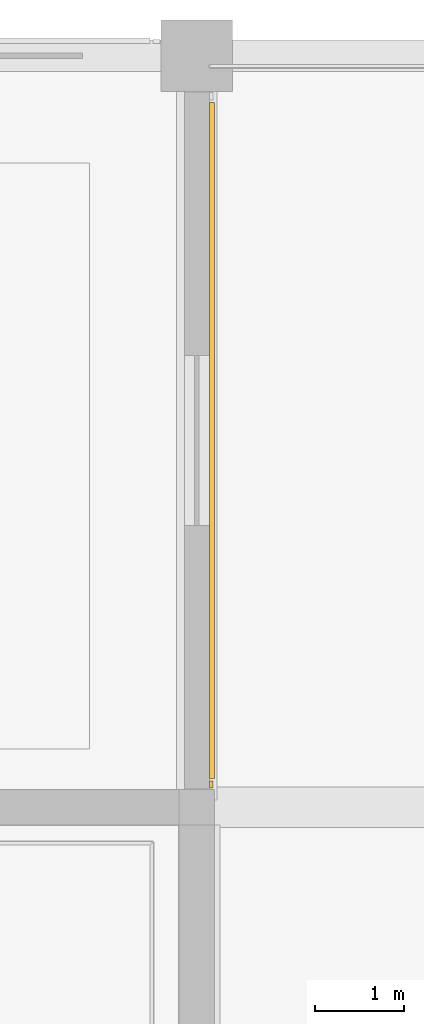
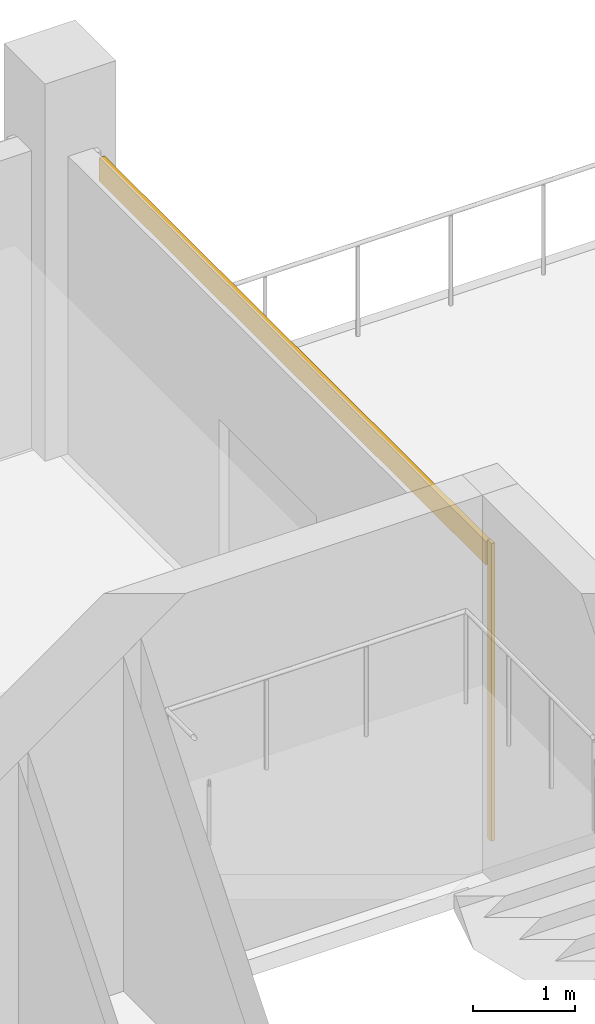
# One storey, part 33 of 36: 2 coverings.
"""IFC4 building model written with IfcOpenShell, lengths in metres."""

import ifcopenshell
import ifcopenshell.guid

model = None  # the IFC model being written
_history = None  # IfcOwnerHistory: only IFC2X3 demands one
_inside = {}  # id of a spatial element -> (the spatial element, [elements in it])
_under = {}  # id of a project, library or spatial element -> (it, [spatial elements below it])
_declared = {}  # id of a project -> (the project, [libraries it declares])
_typed = {}  # id of a type object -> (the type object, [elements of that type])
_made_of = {}  # id of a material, layer set ... -> (it, [elements and type objects made of it])


def new_model(schema):
    """Start an empty IFC model of exactly this schema.

    Asked for "IFC4X3", IfcOpenShell would pick the latest addendum, in which some entities
    have other attributes; the version numbers below select the first issue.
    IFC2X3 requires an IfcOwnerHistory on every rooted entity: one is made here for all.
    """
    global model, _history
    if schema == "IFC4X3":
        model = ifcopenshell.file(schema_version=(4, 3, 0, 0))
    else:
        model = ifcopenshell.file(schema=schema)
    _inside.clear()
    _under.clear()
    _declared.clear()
    _typed.clear()
    _made_of.clear()
    _history = None
    if model.schema == "IFC2X3":
        org = make("IfcOrganization", Name="unknown")
        user = make(
            "IfcPersonAndOrganization",
            ThePerson=make("IfcPerson", FamilyName="unknown"),
            TheOrganization=org,
        )
        app = make(
            "IfcApplication",
            ApplicationDeveloper=org,
            Version="unknown",
            ApplicationFullName="unknown",
            ApplicationIdentifier="unknown",
        )
        _history = make(
            "IfcOwnerHistory",
            OwningUser=user,
            OwningApplication=app,
            ChangeAction="ADDED",
            CreationDate=0,
        )
    return model


def make(cls, **values):
    """One entity of the class cls with the attributes given. An attribute that is None is left unset."""
    return model.create_entity(
        cls, **{name: value for name, value in values.items() if value is not None}
    )


def rooted(cls, **values):
    """An entity with a GlobalId (a new one), such as an element, a storey or a relation."""
    return make(cls, GlobalId=ifcopenshell.guid.new(), OwnerHistory=_history, **values)


def si_unit(unit_type, name, prefix=None):
    """IfcSIUnit, for example si_unit("LENGTHUNIT", "METRE", prefix="MILLI")."""
    return make("IfcSIUnit", UnitType=unit_type, Prefix=prefix, Name=name)


def assignment(units):
    """IfcUnitAssignment: the units of a project."""
    return None if units is None else make("IfcUnitAssignment", Units=units)


def point(xyz):
    """IfcCartesianPoint."""
    return None if xyz is None else make("IfcCartesianPoint", Coordinates=xyz)


def direction(xyz):
    """IfcDirection."""
    return None if xyz is None else make("IfcDirection", DirectionRatios=xyz)


def frame(location, z_axis=None, x_axis=None):
    """IfcAxis2Placement3D, a coordinate frame: its origin and axes. An axis left out is left unset."""
    return make(
        "IfcAxis2Placement3D",
        Location=point(location),
        Axis=direction(z_axis),
        RefDirection=direction(x_axis),
    )


def frame_2d(location, x_axis=None):
    """IfcAxis2Placement2D, a coordinate frame in the plane: its origin and x axis."""
    return make(
        "IfcAxis2Placement2D", Location=point(location), RefDirection=direction(x_axis)
    )


def origin():
    """The frame at (0, 0, 0) with its axes left unset."""
    return frame((0.0, 0.0, 0.0))


def origin_2d():
    """The frame at (0, 0) in the plane with its x axis left unset."""
    return frame_2d((0.0, 0.0))


def place(relative_to, where):
    """IfcLocalPlacement: puts the frame where relative to a parent placement (None: the world)."""
    return make(
        "IfcLocalPlacement", PlacementRelTo=relative_to, RelativePlacement=where
    )


def context(
    kind, dimensions, precision=None, world=None, true_north=None, identifier=None
):
    """IfcGeometricRepresentationContext, for example the 3D "Model" context."""
    return make(
        "IfcGeometricRepresentationContext",
        ContextIdentifier=identifier,
        ContextType=kind,
        CoordinateSpaceDimension=dimensions,
        Precision=precision,
        WorldCoordinateSystem=world,
        TrueNorth=true_north,
    )


def subcontext(parent, identifier, kind, view, scale=None):
    """IfcGeometricRepresentationSubContext, for example "Body" below "Model"."""
    return make(
        "IfcGeometricRepresentationSubContext",
        ContextIdentifier=identifier,
        ContextType=kind,
        ParentContext=parent,
        TargetScale=scale,
        TargetView=view,
    )


def project(units=None, contexts=None):
    """IfcProject with its units and contexts."""
    return rooted(
        "IfcProject",
        Name="project",
        RepresentationContexts=contexts,
        UnitsInContext=assignment(units),
    )


def spatial(cls, under=None, at=None, **own):
    """A site, building, storey or space (cls), placed at a placement, below another one or the project."""
    s = rooted(cls, ObjectPlacement=at, **own)
    if under is not None:
        _under.setdefault(under.id(), (under, []))[1].append(s)
    return s


def profile(cls, at=None, kind="AREA", **sizes):
    """A parametric profile (cls). Its sizes go by their IFC names, for example OverallWidth=200.0."""
    return make(cls, ProfileType=kind, Position=at, **sizes)


def rectangle(**sizes):
    """IfcRectangleProfileDef."""
    return profile("IfcRectangleProfileDef", **sizes)


def extrude(swept, where, along, depth):
    """IfcExtrudedAreaSolid: the profile swept, set in the frame where, extruded along a direction by depth."""
    return make(
        "IfcExtrudedAreaSolid",
        SweptArea=swept,
        Position=where,
        ExtrudedDirection=direction(along),
        Depth=depth,
    )


def shape(context_of_items, identifier, shape_type, items):
    """IfcShapeRepresentation: the items that make up one representation, for example the "Body"."""
    return make(
        "IfcShapeRepresentation",
        ContextOfItems=context_of_items,
        RepresentationIdentifier=identifier,
        RepresentationType=shape_type,
        Items=items,
    )


def material(Name=None, Category=None):
    """IfcMaterial."""
    return make("IfcMaterial", Name=Name, Category=Category)


def layer(
    of_material, thickness, ventilated=None, Name=None, Category=None, Priority=None
):
    """IfcMaterialLayer: one layer of a wall or slab, of a material (None: an air gap)."""
    return make(
        "IfcMaterialLayer",
        Material=of_material,
        LayerThickness=thickness,
        IsVentilated=ventilated,
        Name=Name,
        Category=Category,
        Priority=Priority,
    )


def layer_set(layers, Name=None):
    """IfcMaterialLayerSet."""
    return make("IfcMaterialLayerSet", MaterialLayers=layers, LayerSetName=Name)


def made_of(thing, what):
    """Note that an element or type object is made of a material, layer set ...; save() writes the relation."""
    if what is not None:
        _made_of.setdefault(what.id(), (what, []))[1].append(thing)
    return thing


def type_object(cls, material=None, **own):
    """A type object (cls), such as IfcWallType, which elements share."""
    return made_of(rooted(cls, **own), material)


def element(
    cls,
    number,
    at=None,
    inside=None,
    cuts=None,
    type_object=None,
    material=None,
    context=None,
    identifier="Body",
    shape_type=None,
    held_by="IfcProductDefinitionShape",
    body=None,
    shapes=None,
    **own,
):
    """One element of the class cls, such as IfcWall. Its Tag is "e" and its number.

    at: its placement. inside: the storey or other place that contains it. cuts: it is an
    opening in that element (IfcRelVoidsElement). A single representation is given by context,
    identifier, shape_type and body (its items); several are given by shapes. held_by: the class
    of the entity that holds the representations. save() writes the other relations.
    """
    e = rooted(cls, Tag="e%d" % number, ObjectPlacement=at, **own)
    if body is not None:
        shapes = [shape(context, identifier, shape_type, body)]
    if shapes is not None:
        e.Representation = make(held_by, Representations=shapes)
    if inside is not None:
        _inside.setdefault(inside.id(), (inside, []))[1].append(e)
    if cuts is not None:
        rooted(
            "IfcRelVoidsElement", RelatingBuildingElement=cuts, RelatedOpeningElement=e
        )
    if type_object is not None:
        _typed.setdefault(type_object.id(), (type_object, []))[1].append(e)
    return made_of(e, material)


def aggregate(whole, parts):
    """IfcRelAggregates: a whole, such as a stair, and the parts it consists of."""
    return rooted("IfcRelAggregates", RelatingObject=whole, RelatedObjects=parts)


def save(model, path):
    """Write the relations noted so far, then the file.

    IfcRelAggregates (storeys below a building ...), IfcRelContainedInSpatialStructure (elements
    in a storey), IfcRelDefinesByType, IfcRelAssociatesMaterial and IfcRelDeclares: one each for
    every whole, place, type object, material and project.
    """
    for whole, parts in _under.values():
        aggregate(whole, parts)
    for where, things in _inside.values():
        rooted(
            "IfcRelContainedInSpatialStructure",
            RelatedElements=things,
            RelatingStructure=where,
        )
    for kind, things in _typed.values():
        rooted("IfcRelDefinesByType", RelatedObjects=things, RelatingType=kind)
    for what, things in _made_of.values():
        rooted("IfcRelAssociatesMaterial", RelatedObjects=things, RelatingMaterial=what)
    for by, libraries in _declared.values():
        rooted("IfcRelDeclares", RelatingContext=by, RelatedDefinitions=libraries)
    model.write(path)


model = new_model("IFC4")

# Units and contexts
model_context = context("Model", 3, precision=1e-05, world=origin(), true_north=direction((0.0, 1.0)))
body_context = subcontext(model_context, "Body", "Model", "MODEL_VIEW")
ifc_project = project(units=[si_unit("LENGTHUNIT", "METRE"), si_unit("AREAUNIT", "SQUARE_METRE"), si_unit("VOLUMEUNIT", "CUBIC_METRE"), si_unit("PLANEANGLEUNIT", "RADIAN"), si_unit("MASSUNIT", "GRAM", prefix="KILO")], contexts=[model_context])

# Site, building, storey
site_placement = place(None, origin())
site = spatial("IfcSite", under=ifc_project, at=site_placement, CompositionType="ELEMENT")
building_placement = place(site_placement, origin())
building = spatial("IfcBuilding", under=site, at=building_placement, Name="Telukmera Botanical Conservatory", CompositionType="ELEMENT")
storey_placement = place(building_placement, frame((0.0, 0.0, 33.0)))
storey = spatial("IfcBuildingStorey", under=building, at=storey_placement, Name="L07", CompositionType="ELEMENT", Elevation=33.0)

# Coverings
ifc_material_1 = material(Name="Granite-faced precast concrete C40/50", Category="masonry")
ifc_layer_1 = layer(ifc_material_1, 0.0400390625)
ifc_layer_set_1 = layer_set([ifc_layer_1], Name="Granite-faced precast concrete C40/50")
covering_type_1 = type_object("IfcCoveringType", Name="Granite Precast Column Pier Reveal Casing", PredefinedType="CLADDING", material=ifc_layer_set_1)
covering_1_placement = place(storey_placement, frame((100.9599609375, 34.652099609375, 0.0), z_axis=(0.0, 0.0, 1.0), x_axis=(0.0, 1.0, 0.0)))
element("IfcCovering", 1, at=covering_1_placement, inside=storey, type_object=covering_type_1, Name="Granite Pier Reveal V4:L07:E4 L", PredefinedType="CLADDING", context=body_context, shape_type="SweptSolid", body=[
    extrude(rectangle(XDim=0.080078125, YDim=0.0400390625, at=origin_2d()), origin(), (0.0, 0.0, 1.0), 3.550048828125),
])
ifc_material_2 = material(Name="Terracotta-faced precast concrete C40/50", Category="masonry")
ifc_layer_2 = layer(ifc_material_2, 0.06005859375)
ifc_layer_set_2 = layer_set([ifc_layer_2], Name="Terracotta-faced precast concrete C40/50")
covering_type_2 = type_object("IfcCoveringType", Name="Polychrome Terracotta Facade Band Cladding", PredefinedType="CLADDING", material=ifc_layer_set_2)
covering_2_placement = place(storey_placement, frame((100.969970703125, 38.5, 3.22998046875), z_axis=(0.0, 0.0, 1.0), x_axis=(0.0, 1.0, 0.0)))
element("IfcCovering", 2, at=covering_2_placement, inside=storey, type_object=covering_type_2, Name="Polychrome Terracotta Band V4:L07:E4", PredefinedType="CLADDING", context=body_context, shape_type="SweptSolid", body=[
    extrude(rectangle(XDim=7.555908203125, YDim=0.06005859375, at=origin_2d()), origin(), (0.0, 0.0, 1.0), 0.280029296875),
])

save(model, "model.ifc")
